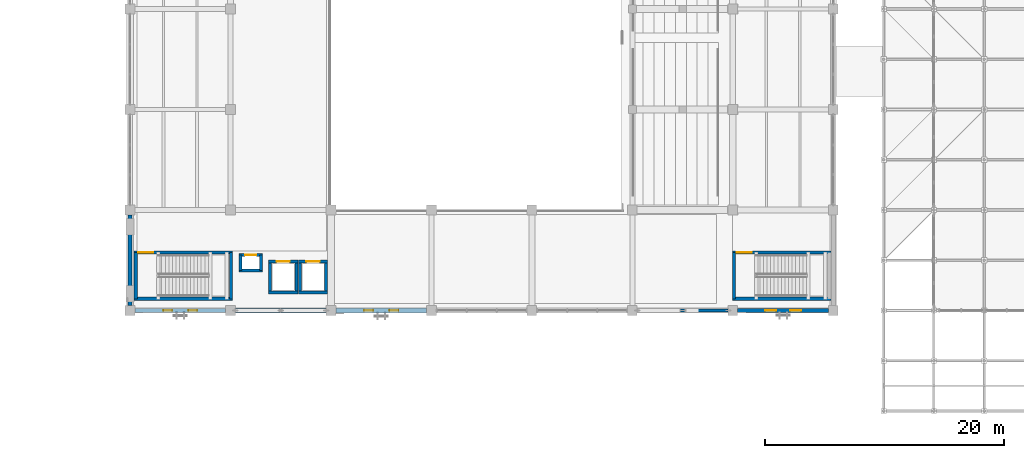
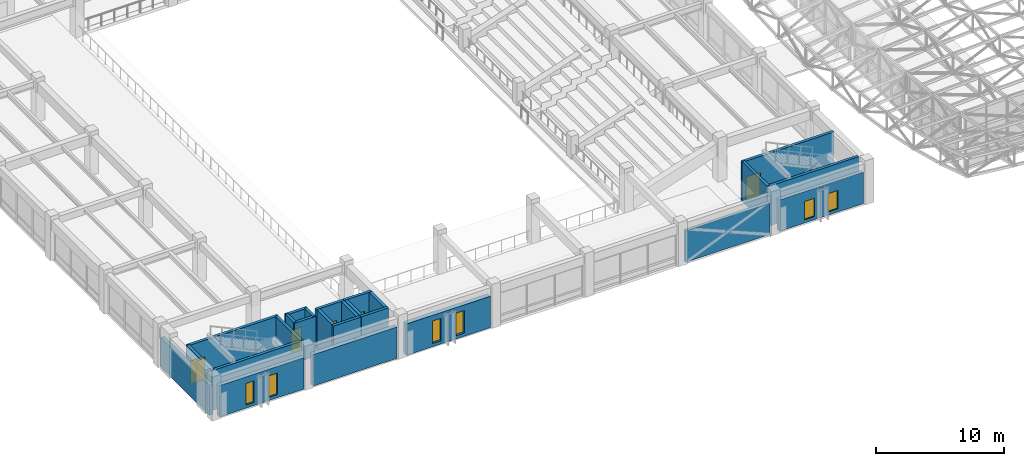
# One storey, part 82 of 132: 25 walls, 6 windows, 5 doors, 11 openings.
"""IFC4 building model written with IfcOpenShell, lengths in metres."""

from ifc_helpers import new_model, si_unit, direction, frame, frame_2d, origin, place, context, subcontext, project, spatial, rectangle, extrude, material, layer, layer_set, type_object, element, fill, save


model = new_model("IFC4")

# Units and contexts
model_context = context("Model", 3, precision=1e-05, world=origin(), true_north=direction((0.0, 1.0)))
body_context = subcontext(model_context, "Body", "Model", "MODEL_VIEW")
ifc_project = project(units=[si_unit("LENGTHUNIT", "METRE"), si_unit("AREAUNIT", "SQUARE_METRE"), si_unit("VOLUMEUNIT", "CUBIC_METRE"), si_unit("PLANEANGLEUNIT", "RADIAN"), si_unit("MASSUNIT", "GRAM", prefix="KILO")], contexts=[model_context])

# Site, building, storey
site_placement = place(None, origin())
site = spatial("IfcSite", under=ifc_project, at=site_placement, CompositionType="ELEMENT")
building_placement = place(site_placement, origin())
building = spatial("IfcBuilding", under=site, at=building_placement, Name="Cumbredor Promenade Congress Hotel", CompositionType="ELEMENT")
storey_placement = place(building_placement, frame((0.0, 0.0, 7.56005859375)))
storey = spatial("IfcBuildingStorey", under=building, at=storey_placement, Name="L02", CompositionType="ELEMENT", Elevation=7.56005859375)

# Wall
ifc_material_1 = material(Name="Concrete C40/50", Category="concrete")
ifc_layer_1 = layer(ifc_material_1, 0.280029296875, Name="Concrete C40/50", Category="concrete")
ifc_layer_set_1 = layer_set([ifc_layer_1], Name="Concrete C40/50")
wall_type_1 = type_object("IfcWallType", Name="WL-EXT-280", PredefinedType="SOLIDWALL", material=ifc_layer_set_1)
wall_1_placement = place(storey_placement, frame((50.801025390625, 8.39990234375, 0.0), z_axis=(0.0, 0.0, 1.0), x_axis=(1.0, 0.0, 0.0)))
element("IfcWall", 1, at=wall_1_placement, inside=storey, type_object=wall_type_1, Name="L02 Plenary Congress Hall South Envelope Wall 6", PredefinedType="SOLIDWALL", context=body_context, shape_type="SweptSolid", body=[
    extrude(rectangle(XDim=7.597900390625, YDim=0.280029296875, at=frame_2d((3.798828125, 0.0))), origin(), (0.0, 0.0, 1.0), 2.98486328125),
])

# Wall, openings, windows
ifc_layer_2 = layer(ifc_material_1, 0.300048828125, Name="Concrete C40/50", Category="concrete")
ifc_layer_set_2 = layer_set([ifc_layer_2], Name="Concrete C40/50")
wall_type_2 = type_object("IfcWallType", Name="WL-EXT-300", PredefinedType="SOLIDWALL", material=ifc_layer_set_2)
wall_2_placement = place(storey_placement, frame((59.200927734375, 8.39990234375, 0.0), z_axis=(0.0, 0.0, 1.0), x_axis=(1.0, 0.0, 0.0)))
wall_2 = element("IfcWall", 2, at=wall_2_placement, inside=storey, type_object=wall_type_2, Name="L02 Plenary Congress Hall South Envelope Wall 7", PredefinedType="SOLIDWALL", context=body_context, shape_type="SweptSolid", body=[
    extrude(rectangle(XDim=7.59814453125, YDim=0.300048828125, at=frame_2d((3.799072265625, 0.0))), origin(), (0.0, 0.0, 1.0), 2.98486328125),
])
opening_1_placement = place(wall_2_placement, frame((2.2890625, 0.0, 0.300048828125)))
opening_1 = element("IfcOpeningElement", 3, at=opening_1_placement, cuts=wall_2, Name="Opening WN-63", PredefinedType="OPENING", context=body_context, shape_type="SweptSolid", body=[
    extrude(rectangle(XDim=0.919921875, YDim=1.75, at=frame_2d((0.4599609375, 0.875))), frame((0.0, 0.16015625, 0.0), z_axis=(0.0, -1.0, 0.0), x_axis=(1.0, 0.0, 0.0)), (0.0, 0.0, 1.0), 0.320068359375),
])
opening_2_placement = place(wall_2_placement, frame((4.388916015625, 0.0, 0.300048828125)))
opening_2 = element("IfcOpeningElement", 4, at=opening_2_placement, cuts=wall_2, Name="Opening WN-63", PredefinedType="OPENING", context=body_context, shape_type="SweptSolid", body=[
    extrude(rectangle(XDim=0.919921875, YDim=1.75, at=frame_2d((0.4599609375, 0.875))), frame((0.0, 0.16015625, 0.0), z_axis=(0.0, -1.0, 0.0), x_axis=(1.0, 0.0, 0.0)), (0.0, 0.0, 1.0), 0.320068359375),
])
ifc_material_2 = material(Name="Thermally broken anodized aluminium and low-E glass", Category="aluminium")
window_type_1 = type_object("IfcWindowType", Name="Vertical Slot Window WN-63 920x1750", PartitioningType="SINGLE_PANEL", PredefinedType="WINDOW", material=ifc_material_2)
window_1_placement = place(opening_1_placement, origin())
window_1 = element("IfcWindow", 5, at=window_1_placement, inside=storey, type_object=window_type_1, Name="L02 Vertical Slot Window 0236", OverallHeight=1.75, OverallWidth=0.919921875, PartitioningType="SINGLE_PANEL", PredefinedType="WINDOW", context=body_context, shape_type="SweptSolid", body=[
    extrude(rectangle(XDim=0.919921875, YDim=1.75, at=frame_2d((0.4599609375, 0.875))), frame((0.0, 0.030029296875, 0.0), z_axis=(0.0, -1.0, 0.0), x_axis=(1.0, 0.0, 0.0)), (0.0, 0.0, 1.0), 0.06005859375),
])
fill(opening_1, window_1)
window_2_placement = place(opening_2_placement, origin())
window_2 = element("IfcWindow", 6, at=window_2_placement, inside=storey, type_object=window_type_1, Name="L02 Vertical Slot Window 0237", OverallHeight=1.75, OverallWidth=0.919921875, PartitioningType="SINGLE_PANEL", PredefinedType="WINDOW", context=body_context, shape_type="SweptSolid", body=[
    extrude(rectangle(XDim=0.919921875, YDim=1.75, at=frame_2d((0.4599609375, 0.875))), frame((0.0, 0.030029296875, 0.0), z_axis=(0.0, -1.0, 0.0), x_axis=(1.0, 0.0, 0.0)), (0.0, 0.0, 1.0), 0.06005859375),
])
fill(opening_2, window_2)

ifc_layer_3 = layer(ifc_material_1, 0.35009765625, Name="Concrete C40/50", Category="concrete")
ifc_layer_set_3 = layer_set([ifc_layer_3], Name="Concrete C40/50")
wall_type_3 = type_object("IfcWallType", Name="WL-EXT-350", PredefinedType="SOLIDWALL", material=ifc_layer_set_3)
wall_3_placement = place(storey_placement, frame((8.801025390625, 8.39990234375, 0.0), z_axis=(0.0, 0.0, 1.0), x_axis=(1.0, 0.0, 0.0)))
wall_3 = element("IfcWall", 7, at=wall_3_placement, inside=storey, type_object=wall_type_3, Name="L02 Plenary Congress Hall South Envelope Wall 1", PredefinedType="SOLIDWALL", context=body_context, shape_type="SweptSolid", body=[
    extrude(rectangle(XDim=7.597900390625, YDim=0.35009765625, at=frame_2d((3.798828125, 0.0))), origin(), (0.0, 0.0, 1.0), 2.98486328125),
])
opening_3_placement = place(wall_3_placement, frame((2.37890625, 0.0, 0.300048828125)))
opening_3 = element("IfcOpeningElement", 8, at=opening_3_placement, cuts=wall_3, Name="Opening WN-53", PredefinedType="OPENING", context=body_context, shape_type="SweptSolid", body=[
    extrude(rectangle(XDim=0.739990234375, YDim=2.050048828125, at=frame_2d((0.3701171875, 1.02490234375))), frame((0.0, 0.18505859375, 0.0), z_axis=(0.0, -1.0, 0.0), x_axis=(1.0, 0.0, 0.0)), (0.0, 0.0, 1.0), 0.3701171875),
])
opening_4_placement = place(wall_3_placement, frame((4.47900390625, 0.0, 0.300048828125)))
opening_4 = element("IfcOpeningElement", 9, at=opening_4_placement, cuts=wall_3, Name="Opening WN-53", PredefinedType="OPENING", context=body_context, shape_type="SweptSolid", body=[
    extrude(rectangle(XDim=0.739990234375, YDim=2.050048828125, at=frame_2d((0.3701171875, 1.02490234375))), frame((0.0, 0.18505859375, 0.0), z_axis=(0.0, -1.0, 0.0), x_axis=(1.0, 0.0, 0.0)), (0.0, 0.0, 1.0), 0.3701171875),
])
window_type_2 = type_object("IfcWindowType", Name="Vertical Slot Window WN-53 740x2050", PartitioningType="SINGLE_PANEL", PredefinedType="WINDOW", material=ifc_material_2)
window_3_placement = place(opening_3_placement, origin())
window_3 = element("IfcWindow", 10, at=window_3_placement, inside=storey, type_object=window_type_2, Name="L02 Vertical Slot Window 0232", OverallHeight=2.050048828125, OverallWidth=0.739990234375, PartitioningType="SINGLE_PANEL", PredefinedType="WINDOW", context=body_context, shape_type="SweptSolid", body=[
    extrude(rectangle(XDim=0.739990234375, YDim=2.050048828125, at=frame_2d((0.3701171875, 1.02490234375))), frame((0.0, 0.030029296875, 0.0), z_axis=(0.0, -1.0, 0.0), x_axis=(1.0, 0.0, 0.0)), (0.0, 0.0, 1.0), 0.06005859375),
])
fill(opening_3, window_3)
window_4_placement = place(opening_4_placement, origin())
window_4 = element("IfcWindow", 11, at=window_4_placement, inside=storey, type_object=window_type_2, Name="L02 Vertical Slot Window 0233", OverallHeight=2.050048828125, OverallWidth=0.739990234375, PartitioningType="SINGLE_PANEL", PredefinedType="WINDOW", context=body_context, shape_type="SweptSolid", body=[
    extrude(rectangle(XDim=0.739990234375, YDim=2.050048828125, at=frame_2d((0.3701171875, 1.02490234375))), frame((0.0, 0.030029296875, 0.0), z_axis=(0.0, -1.0, 0.0), x_axis=(1.0, 0.0, 0.0)), (0.0, 0.0, 1.0), 0.06005859375),
])
fill(opening_4, window_4)

# Walls
wall_4_placement = place(storey_placement, frame((8.39990234375, 8.801025390625, 0.0), z_axis=(0.0, 0.0, 1.0), x_axis=(0.0, 1.0, 0.0)))
element("IfcWall", 12, at=wall_4_placement, inside=storey, type_object=wall_type_3, Name="L02 Plenary Congress Hall West Envelope Wall 1", PredefinedType="SOLIDWALL", context=body_context, shape_type="SweptSolid", body=[
    extrude(rectangle(XDim=7.597900390625, YDim=0.35009765625, at=frame_2d((3.798828125, 0.0))), origin(), (0.0, 0.0, 1.0), 2.8349609375),
])
ifc_layer_4 = layer(ifc_material_1, 0.3798828125, Name="Concrete C40/50", Category="concrete")
ifc_layer_set_4 = layer_set([ifc_layer_4], Name="Concrete C40/50")
wall_type_4 = type_object("IfcWallType", Name="WL-EXT-380", PredefinedType="SOLIDWALL", material=ifc_layer_set_4)
wall_5_placement = place(storey_placement, frame((17.200927734375, 8.39990234375, 0.0), z_axis=(0.0, 0.0, 1.0), x_axis=(1.0, 0.0, 0.0)))
element("IfcWall", 13, at=wall_5_placement, inside=storey, type_object=wall_type_4, Name="L02 Plenary Congress Hall South Envelope Wall 2", PredefinedType="SOLIDWALL", context=body_context, shape_type="SweptSolid", body=[
    extrude(rectangle(XDim=7.59814453125, YDim=0.3798828125, at=frame_2d((3.799072265625, 0.0))), origin(), (0.0, 0.0, 1.0), 2.98486328125),
])

# Wall, openings, windows
ifc_layer_5 = layer(ifc_material_1, 0.425048828125, Name="Concrete C40/50", Category="concrete")
ifc_layer_set_5 = layer_set([ifc_layer_5], Name="Concrete C40/50")
wall_type_5 = type_object("IfcWallType", Name="WL-EXT-425", PredefinedType="SOLIDWALL", material=ifc_layer_set_5)
wall_6_placement = place(storey_placement, frame((25.60107421875, 8.39990234375, 0.0), z_axis=(0.0, 0.0, 1.0), x_axis=(1.0, 0.0, 0.0)))
wall_6 = element("IfcWall", 14, at=wall_6_placement, inside=storey, type_object=wall_type_5, Name="L02 Plenary Congress Hall South Envelope Wall 3", PredefinedType="SOLIDWALL", context=body_context, shape_type="SweptSolid", body=[
    extrude(rectangle(XDim=7.597900390625, YDim=0.425048828125, at=frame_2d((3.798828125, 0.0))), origin(), (0.0, 0.0, 1.0), 2.98486328125),
])
opening_5_placement = place(wall_6_placement, frame((2.3740234375, 0.0, 0.300048828125)))
opening_5 = element("IfcOpeningElement", 15, at=opening_5_placement, cuts=wall_6, Name="Opening WN-57", PredefinedType="OPENING", context=body_context, shape_type="SweptSolid", body=[
    extrude(rectangle(XDim=0.75, YDim=2.14990234375, at=frame_2d((0.375, 1.074951171875))), frame((0.0, 0.22265625, 0.0), z_axis=(0.0, -1.0, 0.0), x_axis=(1.0, 0.0, 0.0)), (0.0, 0.0, 1.0), 0.445068359375),
])
opening_6_placement = place(wall_6_placement, frame((4.47412109375, 0.0, 0.300048828125)))
opening_6 = element("IfcOpeningElement", 16, at=opening_6_placement, cuts=wall_6, Name="Opening WN-57", PredefinedType="OPENING", context=body_context, shape_type="SweptSolid", body=[
    extrude(rectangle(XDim=0.75, YDim=2.14990234375, at=frame_2d((0.375, 1.074951171875))), frame((0.0, 0.22265625, 0.0), z_axis=(0.0, -1.0, 0.0), x_axis=(1.0, 0.0, 0.0)), (0.0, 0.0, 1.0), 0.445068359375),
])
window_type_3 = type_object("IfcWindowType", Name="Vertical Slot Window WN-57 750x2150", PartitioningType="SINGLE_PANEL", PredefinedType="WINDOW", material=ifc_material_2)
window_5_placement = place(opening_5_placement, origin())
window_5 = element("IfcWindow", 17, at=window_5_placement, inside=storey, type_object=window_type_3, Name="L02 Vertical Slot Window 0234", OverallHeight=2.14990234375, OverallWidth=0.75, PartitioningType="SINGLE_PANEL", PredefinedType="WINDOW", context=body_context, shape_type="SweptSolid", body=[
    extrude(rectangle(XDim=0.75, YDim=2.14990234375, at=frame_2d((0.375, 1.074951171875))), frame((0.0, 0.030029296875, 0.0), z_axis=(0.0, -1.0, 0.0), x_axis=(1.0, 0.0, 0.0)), (0.0, 0.0, 1.0), 0.06005859375),
])
fill(opening_5, window_5)
window_6_placement = place(opening_6_placement, origin())
window_6 = element("IfcWindow", 18, at=window_6_placement, inside=storey, type_object=window_type_3, Name="L02 Vertical Slot Window 0235", OverallHeight=2.14990234375, OverallWidth=0.75, PartitioningType="SINGLE_PANEL", PredefinedType="WINDOW", context=body_context, shape_type="SweptSolid", body=[
    extrude(rectangle(XDim=0.75, YDim=2.14990234375, at=frame_2d((0.375, 1.074951171875))), frame((0.0, 0.030029296875, 0.0), z_axis=(0.0, -1.0, 0.0), x_axis=(1.0, 0.0, 0.0)), (0.0, 0.0, 1.0), 0.06005859375),
])
fill(opening_6, window_6)

# Wall
ifc_layer_6 = layer(ifc_material_1, 0.2548828125, Name="Concrete C40/50", Category="concrete")
ifc_layer_set_6 = layer_set([ifc_layer_6], Name="Concrete C40/50")
wall_type_6 = type_object("IfcWallType", Name="WL-SHAFT-250", PredefinedType="SOLIDWALL", material=ifc_layer_set_6)
wall_7_placement = place(storey_placement, frame((8.75244140625, 9.3798828125, 0.0), z_axis=(0.0, 0.0, 1.0), x_axis=(1.0, 0.0, 0.0)))
element("IfcWall", 19, at=wall_7_placement, inside=storey, type_object=wall_type_6, Name="STAIR-ST-04-L02 Shaft Wall South", PredefinedType="SOLIDWALL", context=body_context, shape_type="SweptSolid", body=[
    extrude(rectangle(XDim=8.22509765625, YDim=0.2548828125, at=frame_2d((4.112548828125, 0.0))), origin(), (0.0, 0.0, 1.0), 3.800048828125),
])

# Wall, opening, door
wall_8_placement = place(storey_placement, frame((8.75244140625, 13.25, 0.0), z_axis=(0.0, 0.0, 1.0), x_axis=(1.0, 0.0, 0.0)))
wall_8 = element("IfcWall", 20, at=wall_8_placement, inside=storey, type_object=wall_type_6, Name="STAIR-ST-04-L02 Shaft Wall North", PredefinedType="SOLIDWALL", context=body_context, shape_type="SweptSolid", body=[
    extrude(rectangle(XDim=8.22509765625, YDim=0.2548828125, at=frame_2d((4.112548828125, 0.0))), origin(), (0.0, 0.0, 1.0), 3.800048828125),
])
opening_7_placement = place(wall_8_placement, frame((0.35009765625, 0.0, 0.0)))
opening_7 = element("IfcOpeningElement", 21, at=opening_7_placement, cuts=wall_8, Name="Opening SD-02", PredefinedType="OPENING", context=body_context, shape_type="SweptSolid", body=[
    extrude(rectangle(XDim=1.25, YDim=2.199951171875, at=frame_2d((0.625, 1.10009765625))), frame((0.0, 0.137451171875, 0.0), z_axis=(0.0, -1.0, 0.0), x_axis=(1.0, 0.0, 0.0)), (0.0, 0.0, 1.0), 0.27490234375),
])
ifc_material_3 = material(Name="Painted galvanized steel fire door", Category="steel")
door_type_1 = type_object("IfcDoorType", Name="DR-STAIR-FD90-1250", OperationType="NOTDEFINED", PredefinedType="DOOR", material=ifc_material_3)
door_1_placement = place(opening_7_placement, origin())
door_1 = element("IfcDoor", 22, at=door_1_placement, inside=storey, type_object=door_type_1, Name="L02 Protected Exit Stair ST-04 Door", OperationType="SINGLE_SWING_LEFT", OverallHeight=2.199951171875, OverallWidth=1.25, PredefinedType="DOOR", context=body_context, shape_type="SweptSolid", body=[
    extrude(rectangle(XDim=1.25, YDim=2.199951171875, at=frame_2d((0.625, 1.10009765625))), frame((0.0, 0.02490234375, 0.0), z_axis=(0.0, -1.0, 0.0), x_axis=(1.0, 0.0, 0.0)), (0.0, 0.0, 1.0), 0.050048828125),
])
fill(opening_7, door_1)

# Walls
for number, where, z_axis, x_axis, name in (
    (23, (8.8798828125, 9.3798828125, 0.0), (0.0, 0.0, 1.0), (0.0, 1.0, 0.0), "STAIR-ST-04-L02 Shaft Wall West"),
    (24, (16.85009765625, 9.3798828125, 0.0), (0.0, 0.0, 1.0), (0.0, 1.0, 0.0), "STAIR-ST-04-L02 Shaft Wall East"),
):
    element("IfcWall", number, at=place(storey_placement, frame(where, z_axis=z_axis, x_axis=x_axis)), inside=storey, type_object=wall_type_6, Name=name, PredefinedType="SOLIDWALL", context=body_context, shape_type="SweptSolid", body=[
        extrude(rectangle(XDim=3.8701171875, YDim=0.2548828125, at=frame_2d((1.93505859375, 0.0))), origin(), (0.0, 0.0, 1.0), 3.800048828125),
    ])
wall_9_placement = place(storey_placement, frame((58.75244140625, 9.3798828125, 0.0), z_axis=(0.0, 0.0, 1.0), x_axis=(1.0, 0.0, 0.0)))
element("IfcWall", 25, at=wall_9_placement, inside=storey, type_object=wall_type_6, Name="STAIR-ST-05-L02 Shaft Wall South", PredefinedType="SOLIDWALL", context=body_context, shape_type="SweptSolid", body=[
    extrude(rectangle(XDim=8.22509765625, YDim=0.2548828125, at=frame_2d((4.112548828125, 0.0))), origin(), (0.0, 0.0, 1.0), 3.800048828125),
])

# Wall, opening, door
wall_10_placement = place(storey_placement, frame((58.75244140625, 13.25, 0.0), z_axis=(0.0, 0.0, 1.0), x_axis=(1.0, 0.0, 0.0)))
wall_10 = element("IfcWall", 26, at=wall_10_placement, inside=storey, type_object=wall_type_6, Name="STAIR-ST-05-L02 Shaft Wall North", PredefinedType="SOLIDWALL", context=body_context, shape_type="SweptSolid", body=[
    extrude(rectangle(XDim=8.22509765625, YDim=0.2548828125, at=frame_2d((4.112548828125, 0.0))), origin(), (0.0, 0.0, 1.0), 3.800048828125),
])
opening_8_placement = place(wall_10_placement, frame((0.35009765625, 0.0, 0.0)))
opening_8 = element("IfcOpeningElement", 27, at=opening_8_placement, cuts=wall_10, Name="Opening SD-02", PredefinedType="OPENING", context=body_context, shape_type="SweptSolid", body=[
    extrude(rectangle(XDim=1.25, YDim=2.199951171875, at=frame_2d((0.625, 1.10009765625))), frame((0.0, 0.137451171875, 0.0), z_axis=(0.0, -1.0, 0.0), x_axis=(1.0, 0.0, 0.0)), (0.0, 0.0, 1.0), 0.27490234375),
])
door_2_placement = place(opening_8_placement, origin())
door_2 = element("IfcDoor", 28, at=door_2_placement, inside=storey, type_object=door_type_1, Name="L02 Protected Exit Stair ST-05 Door", OperationType="SINGLE_SWING_LEFT", OverallHeight=2.199951171875, OverallWidth=1.25, PredefinedType="DOOR", context=body_context, shape_type="SweptSolid", body=[
    extrude(rectangle(XDim=1.25, YDim=2.199951171875, at=frame_2d((0.625, 1.10009765625))), frame((0.0, 0.02490234375, 0.0), z_axis=(0.0, -1.0, 0.0), x_axis=(1.0, 0.0, 0.0)), (0.0, 0.0, 1.0), 0.050048828125),
])
fill(opening_8, door_2)

# Walls
wall_11_placement = place(storey_placement, frame((58.8798828125, 9.3798828125, 0.0), z_axis=(0.0, 0.0, 1.0), x_axis=(0.0, 1.0, 0.0)))
element("IfcWall", 29, at=wall_11_placement, inside=storey, type_object=wall_type_6, Name="STAIR-ST-05-L02 Shaft Wall West", PredefinedType="SOLIDWALL", context=body_context, shape_type="SweptSolid", body=[
    extrude(rectangle(XDim=3.8701171875, YDim=0.2548828125, at=frame_2d((1.93505859375, 0.0))), origin(), (0.0, 0.0, 1.0), 3.800048828125),
])
wall_12_placement = place(storey_placement, frame((19.972412109375, 9.89990234375, 0.0), z_axis=(0.0, 0.0, 1.0), x_axis=(1.0, 0.0, 0.0)))
element("IfcWall", 30, at=wall_12_placement, inside=storey, type_object=wall_type_6, Name="SHAFT-PL-05-L02 Shaft Wall South", PredefinedType="SOLIDWALL", context=body_context, shape_type="SweptSolid", body=[
    extrude(rectangle(XDim=2.455078125, YDim=0.2548828125, at=frame_2d((1.2275390625, 0.0))), origin(), (0.0, 0.0, 1.0), 3.800048828125),
])

# Wall, opening, door
wall_13_placement = place(storey_placement, frame((19.972412109375, 12.5, 0.0), z_axis=(0.0, 0.0, 1.0), x_axis=(1.0, 0.0, 0.0)))
wall_13 = element("IfcWall", 31, at=wall_13_placement, inside=storey, type_object=wall_type_6, Name="SHAFT-PL-05-L02 Shaft Wall North", PredefinedType="SOLIDWALL", context=body_context, shape_type="SweptSolid", body=[
    extrude(rectangle(XDim=2.455078125, YDim=0.2548828125, at=frame_2d((1.2275390625, 0.0))), origin(), (0.0, 0.0, 1.0), 3.800048828125),
])
opening_9_placement = place(wall_13_placement, frame((0.677490234375, 0.0, 0.0)))
opening_9 = element("IfcOpeningElement", 32, at=opening_9_placement, cuts=wall_13, Name="Opening LD-01", PredefinedType="OPENING", context=body_context, shape_type="SweptSolid", body=[
    extrude(rectangle(XDim=1.10009765625, YDim=2.14990234375, at=frame_2d((0.550048828125, 1.074951171875))), frame((0.0, 0.137451171875, 0.0), z_axis=(0.0, -1.0, 0.0), x_axis=(1.0, 0.0, 0.0)), (0.0, 0.0, 1.0), 0.27490234375),
])
ifc_material_4 = material(Name="Brushed stainless steel", Category="steel")
door_type_2 = type_object("IfcDoorType", Name="Lift Landing Sliding Door LD-01 1100x2150", OperationType="DOUBLE_DOOR_SLIDING", PredefinedType="DOOR", material=ifc_material_4)
door_3_placement = place(opening_9_placement, origin())
door_3 = element("IfcDoor", 33, at=door_3_placement, inside=storey, type_object=door_type_2, Name="L02 Plenary Passenger Lift PL-05 Sliding Landing Door", OperationType="DOUBLE_DOOR_SLIDING", OverallHeight=2.14990234375, OverallWidth=1.10009765625, PredefinedType="DOOR", context=body_context, shape_type="SweptSolid", body=[
    extrude(rectangle(XDim=1.10009765625, YDim=2.14990234375, at=frame_2d((0.550048828125, 1.074951171875))), frame((0.0, 0.02490234375, 0.0), z_axis=(0.0, -1.0, 0.0), x_axis=(1.0, 0.0, 0.0)), (0.0, 0.0, 1.0), 0.050048828125),
])
fill(opening_9, door_3)

# Walls
for number, where, z_axis, x_axis, name in (
    (34, (20.10009765625, 9.89990234375, 0.0), (0.0, 0.0, 1.0), (0.0, 1.0, 0.0), "SHAFT-PL-05-L02 Shaft Wall West"),
    (35, (22.300048828125, 9.89990234375, 0.0), (0.0, 0.0, 1.0), (0.0, 1.0, 0.0), "SHAFT-PL-05-L02 Shaft Wall East"),
):
    element("IfcWall", number, at=place(storey_placement, frame(where, z_axis=z_axis, x_axis=x_axis)), inside=storey, type_object=wall_type_6, Name=name, PredefinedType="SOLIDWALL", context=body_context, shape_type="SweptSolid", body=[
        extrude(rectangle(XDim=2.60009765625, YDim=0.2548828125, at=frame_2d((1.300048828125, 0.0))), origin(), (0.0, 0.0, 1.0), 3.800048828125),
    ])
wall_14_placement = place(storey_placement, frame((22.472412109375, 9.89990234375, 0.0), z_axis=(0.0, 0.0, 1.0), x_axis=(1.0, 0.0, 0.0)))
element("IfcWall", 36, at=wall_14_placement, inside=storey, type_object=wall_type_6, Name="SHAFT-PL-06-L02 Shaft Wall South", PredefinedType="SOLIDWALL", context=body_context, shape_type="SweptSolid", body=[
    extrude(rectangle(XDim=2.455078125, YDim=0.2548828125, at=frame_2d((1.2275390625, 0.0))), origin(), (0.0, 0.0, 1.0), 3.800048828125),
])

# Wall, opening, door
wall_15_placement = place(storey_placement, frame((22.472412109375, 12.5, 0.0), z_axis=(0.0, 0.0, 1.0), x_axis=(1.0, 0.0, 0.0)))
wall_15 = element("IfcWall", 37, at=wall_15_placement, inside=storey, type_object=wall_type_6, Name="SHAFT-PL-06-L02 Shaft Wall North", PredefinedType="SOLIDWALL", context=body_context, shape_type="SweptSolid", body=[
    extrude(rectangle(XDim=2.455078125, YDim=0.2548828125, at=frame_2d((1.2275390625, 0.0))), origin(), (0.0, 0.0, 1.0), 3.800048828125),
])
opening_10_placement = place(wall_15_placement, frame((0.677490234375, 0.0, 0.0)))
opening_10 = element("IfcOpeningElement", 38, at=opening_10_placement, cuts=wall_15, Name="Opening LD-01", PredefinedType="OPENING", context=body_context, shape_type="SweptSolid", body=[
    extrude(rectangle(XDim=1.10009765625, YDim=2.14990234375, at=frame_2d((0.550048828125, 1.074951171875))), frame((0.0, 0.137451171875, 0.0), z_axis=(0.0, -1.0, 0.0), x_axis=(1.0, 0.0, 0.0)), (0.0, 0.0, 1.0), 0.27490234375),
])
door_4_placement = place(opening_10_placement, origin())
door_4 = element("IfcDoor", 39, at=door_4_placement, inside=storey, type_object=door_type_2, Name="L02 Plenary Passenger Lift PL-06 Sliding Landing Door", OperationType="DOUBLE_DOOR_SLIDING", OverallHeight=2.14990234375, OverallWidth=1.10009765625, PredefinedType="DOOR", context=body_context, shape_type="SweptSolid", body=[
    extrude(rectangle(XDim=1.10009765625, YDim=2.14990234375, at=frame_2d((0.550048828125, 1.074951171875))), frame((0.0, 0.02490234375, 0.0), z_axis=(0.0, -1.0, 0.0), x_axis=(1.0, 0.0, 0.0)), (0.0, 0.0, 1.0), 0.050048828125),
])
fill(opening_10, door_4)

# Walls
for number, where, z_axis, x_axis, name in (
    (40, (22.60009765625, 9.89990234375, 0.0), (0.0, 0.0, 1.0), (0.0, 1.0, 0.0), "SHAFT-PL-06-L02 Shaft Wall West"),
    (41, (24.800048828125, 9.89990234375, 0.0), (0.0, 0.0, 1.0), (0.0, 1.0, 0.0), "SHAFT-PL-06-L02 Shaft Wall East"),
):
    element("IfcWall", number, at=place(storey_placement, frame(where, z_axis=z_axis, x_axis=x_axis)), inside=storey, type_object=wall_type_6, Name=name, PredefinedType="SOLIDWALL", context=body_context, shape_type="SweptSolid", body=[
        extrude(rectangle(XDim=2.60009765625, YDim=0.2548828125, at=frame_2d((1.300048828125, 0.0))), origin(), (0.0, 0.0, 1.0), 3.800048828125),
    ])
wall_16_placement = place(storey_placement, frame((17.5224609375, 11.75, 0.0), z_axis=(0.0, 0.0, 1.0), x_axis=(1.0, 0.0, 0.0)))
element("IfcWall", 42, at=wall_16_placement, inside=storey, type_object=wall_type_6, Name="RISER-MEP-R2-L02 Shaft Wall South", PredefinedType="SOLIDWALL", context=body_context, shape_type="SweptSolid", body=[
    extrude(rectangle(XDim=1.955078125, YDim=0.2548828125, at=frame_2d((0.9775390625, 0.0))), origin(), (0.0, 0.0, 1.0), 3.800048828125),
])

# Wall, opening, door
wall_17_placement = place(storey_placement, frame((17.5224609375, 13.050048828125, 0.0), z_axis=(0.0, 0.0, 1.0), x_axis=(1.0, 0.0, 0.0)))
wall_17 = element("IfcWall", 43, at=wall_17_placement, inside=storey, type_object=wall_type_6, Name="RISER-MEP-R2-L02 Shaft Wall North", PredefinedType="SOLIDWALL", context=body_context, shape_type="SweptSolid", body=[
    extrude(rectangle(XDim=1.955078125, YDim=0.2548828125, at=frame_2d((0.9775390625, 0.0))), origin(), (0.0, 0.0, 1.0), 3.800048828125),
])
opening_11_placement = place(wall_17_placement, frame((0.507568359375, 0.0, 0.0)))
opening_11 = element("IfcOpeningElement", 44, at=opening_11_placement, cuts=wall_17, Name="Opening FD-03", PredefinedType="OPENING", context=body_context, shape_type="SweptSolid", body=[
    extrude(rectangle(XDim=0.93994140625, YDim=2.10009765625, at=frame_2d((0.469970703125, 1.050048828125))), frame((0.0, 0.137451171875, 0.0), z_axis=(0.0, -1.0, 0.0), x_axis=(1.0, 0.0, 0.0)), (0.0, 0.0, 1.0), 0.27490234375),
])
door_type_3 = type_object("IfcDoorType", Name="DR-SGL-FD60-950", OperationType="NOTDEFINED", PredefinedType="DOOR", material=ifc_material_3)
door_5_placement = place(opening_11_placement, origin())
door_5 = element("IfcDoor", 45, at=door_5_placement, inside=storey, type_object=door_type_3, Name="L02 Plenary MEP Riser Shaft R2 Access Door", OperationType="SINGLE_SWING_LEFT", OverallHeight=2.10009765625, OverallWidth=0.93994140625, PredefinedType="DOOR", context=body_context, shape_type="SweptSolid", body=[
    extrude(rectangle(XDim=0.93994140625, YDim=2.10009765625, at=frame_2d((0.469970703125, 1.050048828125))), frame((0.0, 0.02490234375, 0.0), z_axis=(0.0, -1.0, 0.0), x_axis=(1.0, 0.0, 0.0)), (0.0, 0.0, 1.0), 0.050048828125),
])
fill(opening_11, door_5)

# Walls
for number, where, z_axis, x_axis, name in (
    (46, (17.64990234375, 11.75, 0.0), (0.0, 0.0, 1.0), (0.0, 1.0, 0.0), "RISER-MEP-R2-L02 Shaft Wall West"),
    (47, (19.35009765625, 11.75, 0.0), (0.0, 0.0, 1.0), (0.0, 1.0, 0.0), "RISER-MEP-R2-L02 Shaft Wall East"),
):
    element("IfcWall", number, at=place(storey_placement, frame(where, z_axis=z_axis, x_axis=x_axis)), inside=storey, type_object=wall_type_6, Name=name, PredefinedType="SOLIDWALL", context=body_context, shape_type="SweptSolid", body=[
        extrude(rectangle(XDim=1.300048828125, YDim=0.2548828125, at=frame_2d((0.64990234375, 0.0))), origin(), (0.0, 0.0, 1.0), 3.800048828125),
    ])

save(model, "model.ifc")
